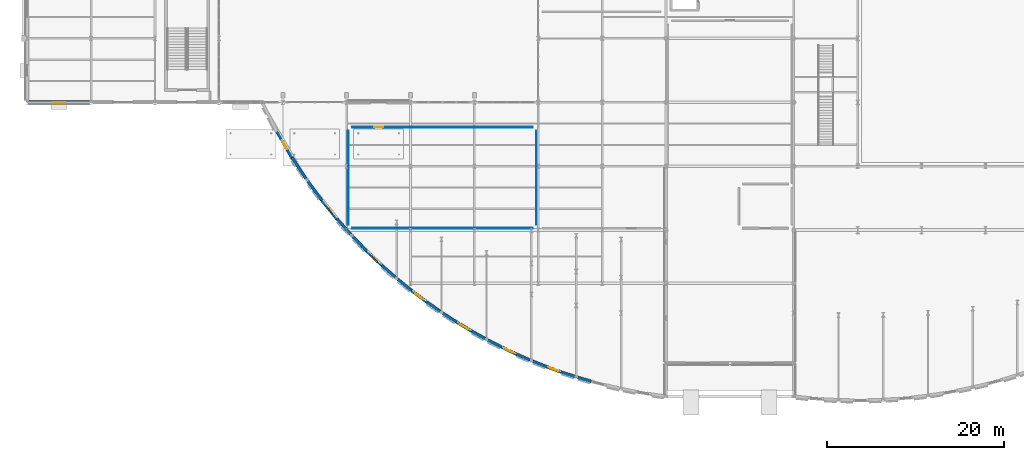
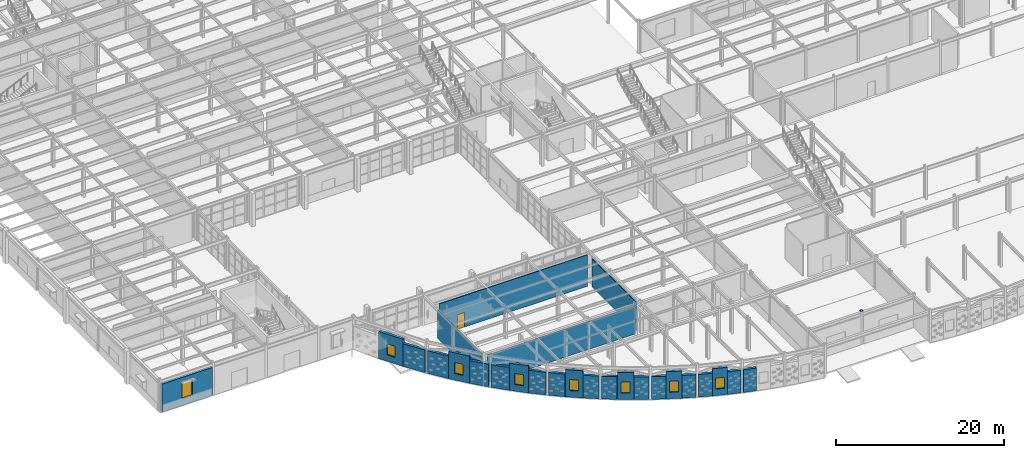
# One storey, part 55 of 83: 26 walls, 8 windows, 1 door, 1 plate, 9 openings.
"""IFC4 building model written with IfcOpenShell, lengths in metres."""

from ifc_helpers import new_model, si_unit, direction, frame, frame_2d, origin, origin_2d, place, context, subcontext, project, spatial, rectangle, extrude, material, layer, layer_set, type_object, element, fill, save


model = new_model("IFC4")

# Units and contexts
model_context = context("Model", 3, precision=1e-05, world=origin(), true_north=direction((0.0, 1.0)))
body_context = subcontext(model_context, "Body", "Model", "MODEL_VIEW")
ifc_project = project(units=[si_unit("LENGTHUNIT", "METRE"), si_unit("AREAUNIT", "SQUARE_METRE"), si_unit("VOLUMEUNIT", "CUBIC_METRE"), si_unit("PLANEANGLEUNIT", "RADIAN"), si_unit("MASSUNIT", "GRAM", prefix="KILO")], contexts=[model_context])

# Site, building, storey
site_placement = place(None, origin())
site = spatial("IfcSite", under=ifc_project, at=site_placement, CompositionType="ELEMENT")
building_placement = place(site_placement, origin())
building = spatial("IfcBuilding", under=site, at=building_placement, Name="Solvadek Multi-Sports Hall", CompositionType="ELEMENT")
storey_placement = place(building_placement, origin())
storey = spatial("IfcBuildingStorey", under=building, at=storey_placement, Name="L00", CompositionType="ELEMENT", Elevation=0.0)

# Plate
ifc_material_1 = material(Name="Steel E350 (350 MPa)", Category="steel")
ifc_layer_1 = layer(ifc_material_1, 0.02001953125, Name="Steel E350 (350 MPa)")
ifc_layer_set_1 = layer_set([ifc_layer_1], Name="Steel E350 (350 MPa)")
plate_type = type_object("IfcPlateType", Name="STR-PLT-CAP340", PredefinedType="USERDEFINED", material=ifc_layer_set_1)
plate_placement = place(storey_placement, frame((79.199951171875, -9.0, 4.800048828125), z_axis=(0.0, 0.0, 1.0), x_axis=(1.0, 0.0, 0.0)))
element("IfcPlate", 1, at=plate_placement, inside=storey, type_object=plate_type, Name="Hollow Column End Cap #322", ObjectType="BASE_PLATE", PredefinedType="USERDEFINED", context=body_context, shape_type="SweptSolid", body=[
    extrude(rectangle(XDim=0.340087890625, YDim=0.340087890625, at=origin_2d()), origin(), (0.0, 0.0, 1.0), 0.02001953125),
])

# Wall, opening, window
ifc_material_2 = material(Name="Fired Deccan terracotta brick masonry", Category="masonry")
ifc_layer_2 = layer(ifc_material_2, 0.35009765625, Name="Fired Deccan terracotta brick masonry")
ifc_layer_set_2 = layer_set([ifc_layer_2], Name="Fired Deccan terracotta brick masonry")
wall_type_1 = type_object("IfcWallType", Name="ENV-WAL-EXT350", PredefinedType="SOLIDWALL", material=ifc_layer_set_2)
wall_1_placement = place(storey_placement, frame((28.1416015625, 17.066650390625, 0.0), z_axis=(0.0, 0.0, 1.0), x_axis=(0.504920301196, -0.863165968653, 0.0)))
wall_1 = element("IfcWall", 2, at=wall_1_placement, inside=storey, type_object=wall_type_1, Name="L00 Crescent Terracotta Brick Base Wall #73", PredefinedType="SOLIDWALL", context=body_context, shape_type="SweptSolid", body=[
    extrude(rectangle(XDim=3.340576171875, YDim=0.35009765625, at=frame_2d((1.67041015625, 0.0))), origin(), (0.0, 0.0, 1.0), 3.949951171875),
])
opening_1_placement = place(wall_1_placement, frame((1.120361328125, 0.0, 0.949951171875)))
opening_1 = element("IfcOpeningElement", 3, at=opening_1_placement, cuts=wall_1, Name="Opening WN-25", PredefinedType="OPENING", context=body_context, shape_type="SweptSolid", body=[
    extrude(rectangle(XDim=1.10009765625, YDim=1.60009765625, at=frame_2d((0.550048828125, 0.800048828125))), frame((0.0, 0.18505859375, 0.0), z_axis=(0.0, -1.0, 0.0), x_axis=(1.0, 0.0, 0.0)), (0.0, 0.0, 1.0), 0.3701171875),
])
ifc_material_3 = material(Name="Tempered laminated low-E glass", Category="glass")
window_type_1 = type_object("IfcWindowType", Name="ENV-WIN-WN-25", PartitioningType="SINGLE_PANEL", PredefinedType="WINDOW", material=ifc_material_3)
window_1_placement = place(opening_1_placement, origin())
window_1 = element("IfcWindow", 4, at=window_1_placement, inside=storey, type_object=window_type_1, Name="L00 Crescent Deep-Set Window #1", OverallHeight=1.60009765625, OverallWidth=1.10009765625, PartitioningType="SINGLE_PANEL", PredefinedType="WINDOW", context=body_context, shape_type="SweptSolid", body=[
    extrude(rectangle(XDim=1.10009765625, YDim=1.60009765625, at=frame_2d((0.550048828125, 0.800048828125))), frame((0.0, 0.030029296875, 0.0), z_axis=(0.0, -1.0, 0.0), x_axis=(1.0, 0.0, 0.0)), (0.0, 0.0, 1.0), 0.06005859375),
])
fill(opening_1, window_1)

# Walls
wall_2_placement = place(storey_placement, frame((29.828369140625, 14.18310546875, 0.0), z_axis=(0.0, 0.0, 1.0), x_axis=(0.551669992049, -0.834062479598, 0.0)))
element("IfcWall", 5, at=wall_2_placement, inside=storey, type_object=wall_type_1, Name="L00 Crescent Terracotta Brick Base Wall #74", PredefinedType="SOLIDWALL", context=body_context, shape_type="SweptSolid", body=[
    extrude(rectangle(XDim=2.904052734375, YDim=0.35009765625, at=frame_2d((1.4521484375, 0.0))), origin(), (0.0, 0.0, 1.0), 3.300048828125),
])
wall_3_placement = place(storey_placement, frame((31.6064453125, 11.50830078125, 0.0), z_axis=(0.0, 0.0, 1.0), x_axis=(0.593211421835, -0.805046712312, 0.0)))
element("IfcWall", 6, at=wall_3_placement, inside=storey, type_object=wall_type_1, Name="L00 Crescent Terracotta Brick Base Wall #75", PredefinedType="SOLIDWALL", context=body_context, shape_type="SweptSolid", body=[
    extrude(rectangle(XDim=2.68994140625, YDim=0.35009765625, at=frame_2d((1.344970703125, 0.0))), origin(), (0.0, 0.0, 1.0), 3.300048828125),
])

# Wall, opening, window
wall_4_placement = place(storey_placement, frame((33.2021484375, 9.3427734375, 0.0), z_axis=(0.0, 0.0, 1.0), x_axis=(0.630654478809, -0.776063739881, 0.0)))
wall_4 = element("IfcWall", 7, at=wall_4_placement, inside=storey, type_object=wall_type_1, Name="L00 Crescent Terracotta Brick Base Wall #76", PredefinedType="SOLIDWALL", context=body_context, shape_type="SweptSolid", body=[
    extrude(rectangle(XDim=2.674560546875, YDim=0.35009765625, at=frame_2d((1.33740234375, 0.0))), origin(), (0.0, 0.0, 1.0), 3.949951171875),
])
opening_2_placement = place(wall_4_placement, frame((0.787353515625, 0.0, 0.949951171875)))
opening_2 = element("IfcOpeningElement", 8, at=opening_2_placement, cuts=wall_4, Name="Opening WN-25", PredefinedType="OPENING", context=body_context, shape_type="SweptSolid", body=[
    extrude(rectangle(XDim=1.10009765625, YDim=1.60009765625, at=frame_2d((0.550048828125, 0.800048828125))), frame((0.0, 0.18505859375, 0.0), z_axis=(0.0, -1.0, 0.0), x_axis=(1.0, 0.0, 0.0)), (0.0, 0.0, 1.0), 0.3701171875),
])
window_2_placement = place(opening_2_placement, origin())
window_2 = element("IfcWindow", 9, at=window_2_placement, inside=storey, type_object=window_type_1, Name="L00 Crescent Deep-Set Window #2", OverallHeight=1.60009765625, OverallWidth=1.10009765625, PartitioningType="SINGLE_PANEL", PredefinedType="WINDOW", context=body_context, shape_type="SweptSolid", body=[
    extrude(rectangle(XDim=1.10009765625, YDim=1.60009765625, at=frame_2d((0.550048828125, 0.800048828125))), frame((0.0, 0.030029296875, 0.0), z_axis=(0.0, -1.0, 0.0), x_axis=(1.0, 0.0, 0.0)), (0.0, 0.0, 1.0), 0.06005859375),
])
fill(opening_2, window_2)

# Walls
wall_5_placement = place(storey_placement, frame((34.888916015625, 7.26708984375, 0.0), z_axis=(0.0, 0.0, 1.0), x_axis=(0.664783351904, -0.747036207309, 0.0)))
element("IfcWall", 10, at=wall_5_placement, inside=storey, type_object=wall_type_1, Name="L00 Crescent Terracotta Brick Base Wall #77", PredefinedType="SOLIDWALL", context=body_context, shape_type="SweptSolid", body=[
    extrude(rectangle(XDim=2.383544921875, YDim=0.35009765625, at=frame_2d((1.19189453125, 0.0))), origin(), (0.0, 0.0, 1.0), 3.300048828125),
])
wall_6_placement = place(storey_placement, frame((36.68310546875, 5.260986328125, 0.0), z_axis=(0.0, 0.0, 1.0), x_axis=(0.695940860346, -0.718099101031, 0.0)))
element("IfcWall", 11, at=wall_6_placement, inside=storey, type_object=wall_type_1, Name="L00 Crescent Terracotta Brick Base Wall #78", PredefinedType="SOLIDWALL", context=body_context, shape_type="SweptSolid", body=[
    extrude(rectangle(XDim=2.269775390625, YDim=0.35009765625, at=frame_2d((1.134765625, 0.0))), origin(), (0.0, 0.0, 1.0), 3.300048828125),
])

# Wall, opening, window
wall_7_placement = place(storey_placement, frame((38.2626953125, 3.631103515625, 0.0), z_axis=(0.0, 0.0, 1.0), x_axis=(0.724766292357, -0.688994790592, 0.0)))
wall_7 = element("IfcWall", 12, at=wall_7_placement, inside=storey, type_object=wall_type_1, Name="L00 Crescent Terracotta Brick Base Wall #79", PredefinedType="SOLIDWALL", context=body_context, shape_type="SweptSolid", body=[
    extrude(rectangle(XDim=2.327392578125, YDim=0.35009765625, at=frame_2d((1.16357421875, 0.0))), origin(), (0.0, 0.0, 1.0), 3.949951171875),
])
opening_3_placement = place(wall_7_placement, frame((0.61376953125, 0.0, 0.949951171875)))
opening_3 = element("IfcOpeningElement", 13, at=opening_3_placement, cuts=wall_7, Name="Opening WN-25", PredefinedType="OPENING", context=body_context, shape_type="SweptSolid", body=[
    extrude(rectangle(XDim=1.10009765625, YDim=1.60009765625, at=frame_2d((0.550048828125, 0.800048828125))), frame((0.0, 0.18505859375, 0.0), z_axis=(0.0, -1.0, 0.0), x_axis=(1.0, 0.0, 0.0)), (0.0, 0.0, 1.0), 0.3701171875),
])
window_3_placement = place(opening_3_placement, origin())
window_3 = element("IfcWindow", 14, at=window_3_placement, inside=storey, type_object=window_type_1, Name="L00 Crescent Deep-Set Window #3", OverallHeight=1.60009765625, OverallWidth=1.10009765625, PartitioningType="SINGLE_PANEL", PredefinedType="WINDOW", context=body_context, shape_type="SweptSolid", body=[
    extrude(rectangle(XDim=1.10009765625, YDim=1.60009765625, at=frame_2d((0.550048828125, 0.800048828125))), frame((0.0, 0.030029296875, 0.0), z_axis=(0.0, -1.0, 0.0), x_axis=(1.0, 0.0, 0.0)), (0.0, 0.0, 1.0), 0.06005859375),
])
fill(opening_3, window_3)

# Walls
wall_8_placement = place(storey_placement, frame((39.949462890625, 2.027587890625, 0.0), z_axis=(0.0, 0.0, 1.0), x_axis=(0.751215757507, -0.660056729133, 0.0)))
element("IfcWall", 15, at=wall_8_placement, inside=storey, type_object=wall_type_1, Name="L00 Crescent Terracotta Brick Base Wall #80", PredefinedType="SOLIDWALL", context=body_context, shape_type="SweptSolid", body=[
    extrude(rectangle(XDim=2.091552734375, YDim=0.35009765625, at=frame_2d((1.0458984375, 0.0))), origin(), (0.0, 0.0, 1.0), 3.300048828125),
])
wall_9_placement = place(storey_placement, frame((41.755859375, 0.447998046875, 0.0), z_axis=(0.0, 0.0, 1.0), x_axis=(0.775773837607, -0.631011056072, 0.0)))
element("IfcWall", 16, at=wall_9_placement, inside=storey, type_object=wall_type_1, Name="L00 Crescent Terracotta Brick Base Wall #81", PredefinedType="SOLIDWALL", context=body_context, shape_type="SweptSolid", body=[
    extrude(rectangle(XDim=2.0205078125, YDim=0.35009765625, at=frame_2d((1.01025390625, 0.0))), origin(), (0.0, 0.0, 1.0), 3.300048828125),
])

# Wall, opening, window
wall_10_placement = place(storey_placement, frame((43.3232421875, -0.826904296875, 0.0), z_axis=(0.0, 0.0, 1.0), x_axis=(0.798485781361, -0.60201366842, 0.0)))
wall_10 = element("IfcWall", 17, at=wall_10_placement, inside=storey, type_object=wall_type_1, Name="L00 Crescent Terracotta Brick Base Wall #82", PredefinedType="SOLIDWALL", context=body_context, shape_type="SweptSolid", body=[
    extrude(rectangle(XDim=2.112548828125, YDim=0.35009765625, at=frame_2d((1.05615234375, 0.0))), origin(), (0.0, 0.0, 1.0), 3.949951171875),
])
opening_4_placement = place(wall_10_placement, frame((0.50634765625, 0.0, 0.949951171875)))
opening_4 = element("IfcOpeningElement", 18, at=opening_4_placement, cuts=wall_10, Name="Opening WN-25", PredefinedType="OPENING", context=body_context, shape_type="SweptSolid", body=[
    extrude(rectangle(XDim=1.10009765625, YDim=1.60009765625, at=frame_2d((0.550048828125, 0.800048828125))), frame((0.0, 0.18505859375, 0.0), z_axis=(0.0, -1.0, 0.0), x_axis=(1.0, 0.0, 0.0)), (0.0, 0.0, 1.0), 0.3701171875),
])
window_4_placement = place(opening_4_placement, origin())
window_4 = element("IfcWindow", 19, at=window_4_placement, inside=storey, type_object=window_type_1, Name="L00 Crescent Deep-Set Window #4", OverallHeight=1.60009765625, OverallWidth=1.10009765625, PartitioningType="SINGLE_PANEL", PredefinedType="WINDOW", context=body_context, shape_type="SweptSolid", body=[
    extrude(rectangle(XDim=1.10009765625, YDim=1.60009765625, at=frame_2d((0.550048828125, 0.800048828125))), frame((0.0, 0.030029296875, 0.0), z_axis=(0.0, -1.0, 0.0), x_axis=(1.0, 0.0, 0.0)), (0.0, 0.0, 1.0), 0.06005859375),
])
fill(opening_4, window_4)

# Walls
wall_11_placement = place(storey_placement, frame((45.010009765625, -2.0986328125, 0.0), z_axis=(0.0, 0.0, 1.0), x_axis=(0.819538950412, -0.57302348011, 0.0)))
element("IfcWall", 20, at=wall_11_placement, inside=storey, type_object=wall_type_1, Name="L00 Crescent Terracotta Brick Base Wall #83", PredefinedType="SOLIDWALL", context=body_context, shape_type="SweptSolid", body=[
    extrude(rectangle(XDim=1.904541015625, YDim=0.35009765625, at=frame_2d((0.9521484375, 0.0))), origin(), (0.0, 0.0, 1.0), 3.300048828125),
])
wall_12_placement = place(storey_placement, frame((46.826171875, -3.362060546875, 0.0), z_axis=(0.0, 0.0, 1.0), x_axis=(0.839044038356, -0.544063508884, 0.0)))
element("IfcWall", 21, at=wall_12_placement, inside=storey, type_object=wall_type_1, Name="L00 Crescent Terracotta Brick Base Wall #84", PredefinedType="SOLIDWALL", context=body_context, shape_type="SweptSolid", body=[
    extrude(rectangle(XDim=1.8564453125, YDim=0.35009765625, at=frame_2d((0.92822265625, 0.0))), origin(), (0.0, 0.0, 1.0), 3.300048828125),
])

# Wall, opening, window
wall_13_placement = place(storey_placement, frame((48.3837890625, -4.3720703125, 0.0), z_axis=(0.0, 0.0, 1.0), x_axis=(0.857164391515, -0.51504291658, 0.0)))
wall_13 = element("IfcWall", 22, at=wall_13_placement, inside=storey, type_object=wall_type_1, Name="L00 Crescent Terracotta Brick Base Wall #85", PredefinedType="SOLIDWALL", context=body_context, shape_type="SweptSolid", body=[
    extrude(rectangle(XDim=1.968017578125, YDim=0.35009765625, at=frame_2d((0.98388671875, 0.0))), origin(), (0.0, 0.0, 1.0), 3.949951171875),
])
opening_5_placement = place(wall_13_placement, frame((0.43408203125, 0.0, 0.949951171875)))
opening_5 = element("IfcOpeningElement", 23, at=opening_5_placement, cuts=wall_13, Name="Opening WN-25", PredefinedType="OPENING", context=body_context, shape_type="SweptSolid", body=[
    extrude(rectangle(XDim=1.10009765625, YDim=1.60009765625, at=frame_2d((0.550048828125, 0.800048828125))), frame((0.0, 0.18505859375, 0.0), z_axis=(0.0, -1.0, 0.0), x_axis=(1.0, 0.0, 0.0)), (0.0, 0.0, 1.0), 0.3701171875),
])
window_5_placement = place(opening_5_placement, origin())
window_5 = element("IfcWindow", 24, at=window_5_placement, inside=storey, type_object=window_type_1, Name="L00 Crescent Deep-Set Window #5", OverallHeight=1.60009765625, OverallWidth=1.10009765625, PartitioningType="SINGLE_PANEL", PredefinedType="WINDOW", context=body_context, shape_type="SweptSolid", body=[
    extrude(rectangle(XDim=1.10009765625, YDim=1.60009765625, at=frame_2d((0.550048828125, 0.800048828125))), frame((0.0, 0.030029296875, 0.0), z_axis=(0.0, -1.0, 0.0), x_axis=(1.0, 0.0, 0.0)), (0.0, 0.0, 1.0), 0.06005859375),
])
fill(opening_5, window_5)

# Walls
wall_14_placement = place(storey_placement, frame((50.07080078125, -5.3857421875, 0.0), z_axis=(0.0, 0.0, 1.0), x_axis=(0.873936739906, -0.486039684226, 0.0)))
element("IfcWall", 25, at=wall_14_placement, inside=storey, type_object=wall_type_1, Name="L00 Crescent Terracotta Brick Base Wall #86", PredefinedType="SOLIDWALL", context=body_context, shape_type="SweptSolid", body=[
    extrude(rectangle(XDim=1.776123046875, YDim=0.35009765625, at=frame_2d((0.88818359375, 0.0))), origin(), (0.0, 0.0, 1.0), 3.300048828125),
])
wall_15_placement = place(storey_placement, frame((51.89453125, -6.394287109375, 0.0), z_axis=(0.0, 0.0, 1.0), x_axis=(0.889413114785, -0.457104267372, 0.0)))
element("IfcWall", 26, at=wall_15_placement, inside=storey, type_object=wall_type_1, Name="L00 Crescent Terracotta Brick Base Wall #87", PredefinedType="SOLIDWALL", context=body_context, shape_type="SweptSolid", body=[
    extrude(rectangle(XDim=1.74267578125, YDim=0.35009765625, at=frame_2d((0.871337890625, 0.0))), origin(), (0.0, 0.0, 1.0), 3.300048828125),
])

# Wall, opening, window
wall_16_placement = place(storey_placement, frame((53.444580078125, -7.19091796875, 0.0), z_axis=(0.0, 0.0, 1.0), x_axis=(0.903721857737, -0.428120081108, 0.0)))
wall_16 = element("IfcWall", 27, at=wall_16_placement, inside=storey, type_object=wall_type_1, Name="L00 Crescent Terracotta Brick Base Wall #88", PredefinedType="SOLIDWALL", context=body_context, shape_type="SweptSolid", body=[
    extrude(rectangle(XDim=1.866455078125, YDim=0.35009765625, at=frame_2d((0.93310546875, 0.0))), origin(), (0.0, 0.0, 1.0), 3.949951171875),
])
opening_6_placement = place(wall_16_placement, frame((0.38330078125, 0.0, 0.949951171875)))
opening_6 = element("IfcOpeningElement", 28, at=opening_6_placement, cuts=wall_16, Name="Opening WN-25", PredefinedType="OPENING", context=body_context, shape_type="SweptSolid", body=[
    extrude(rectangle(XDim=1.10009765625, YDim=1.60009765625, at=frame_2d((0.550048828125, 0.800048828125))), frame((0.0, 0.18505859375, 0.0), z_axis=(0.0, -1.0, 0.0), x_axis=(1.0, 0.0, 0.0)), (0.0, 0.0, 1.0), 0.3701171875),
])
window_6_placement = place(opening_6_placement, origin())
window_6 = element("IfcWindow", 29, at=window_6_placement, inside=storey, type_object=window_type_1, Name="L00 Crescent Deep-Set Window #6", OverallHeight=1.60009765625, OverallWidth=1.10009765625, PartitioningType="SINGLE_PANEL", PredefinedType="WINDOW", context=body_context, shape_type="SweptSolid", body=[
    extrude(rectangle(XDim=1.10009765625, YDim=1.60009765625, at=frame_2d((0.550048828125, 0.800048828125))), frame((0.0, 0.030029296875, 0.0), z_axis=(0.0, -1.0, 0.0), x_axis=(1.0, 0.0, 0.0)), (0.0, 0.0, 1.0), 0.06005859375),
])
fill(opening_6, window_6)

# Walls
wall_17_placement = place(storey_placement, frame((55.13134765625, -7.989990234375, 0.0), z_axis=(0.0, 0.0, 1.0), x_axis=(0.916943366688, -0.399017370909, 0.0)))
element("IfcWall", 30, at=wall_17_placement, inside=storey, type_object=wall_type_1, Name="L00 Crescent Terracotta Brick Base Wall #89", PredefinedType="SOLIDWALL", context=body_context, shape_type="SweptSolid", body=[
    extrude(rectangle(XDim=1.685546875, YDim=0.35009765625, at=frame_2d((0.8427734375, 0.0))), origin(), (0.0, 0.0, 1.0), 3.300048828125),
])
wall_18_placement = place(storey_placement, frame((56.961181640625, -8.78125, 0.0), z_axis=(0.0, 0.0, 1.0), x_axis=(0.929012675174, -0.370047901449, 0.0)))
element("IfcWall", 31, at=wall_18_placement, inside=storey, type_object=wall_type_1, Name="L00 Crescent Terracotta Brick Base Wall #90", PredefinedType="SOLIDWALL", context=body_context, shape_type="SweptSolid", body=[
    extrude(rectangle(XDim=1.661865234375, YDim=0.35009765625, at=frame_2d((0.8310546875, 0.0))), origin(), (0.0, 0.0, 1.0), 3.300048828125),
])

# Wall, opening, window
wall_19_placement = place(storey_placement, frame((58.505126953125, -9.396240234375, 0.0), z_axis=(0.0, 0.0, 1.0), x_axis=(0.939983948766, -0.341218663121, 0.0)))
wall_19 = element("IfcWall", 32, at=wall_19_placement, inside=storey, type_object=wall_type_1, Name="L00 Crescent Terracotta Brick Base Wall #91", PredefinedType="SOLIDWALL", context=body_context, shape_type="SweptSolid", body=[
    extrude(rectangle(XDim=1.79443359375, YDim=0.35009765625, at=frame_2d((0.897216796875, 0.0))), origin(), (0.0, 0.0, 1.0), 3.949951171875),
])
opening_7_placement = place(wall_19_placement, frame((0.34716796875, 0.0, 0.949951171875)))
opening_7 = element("IfcOpeningElement", 33, at=opening_7_placement, cuts=wall_19, Name="Opening WN-25", PredefinedType="OPENING", context=body_context, shape_type="SweptSolid", body=[
    extrude(rectangle(XDim=1.10009765625, YDim=1.60009765625, at=frame_2d((0.550048828125, 0.800048828125))), frame((0.0, 0.18505859375, 0.0), z_axis=(0.0, -1.0, 0.0), x_axis=(1.0, 0.0, 0.0)), (0.0, 0.0, 1.0), 0.3701171875),
])
window_7_placement = place(opening_7_placement, origin())
window_7 = element("IfcWindow", 34, at=window_7_placement, inside=storey, type_object=window_type_1, Name="L00 Crescent Deep-Set Window #7", OverallHeight=1.60009765625, OverallWidth=1.10009765625, PartitioningType="SINGLE_PANEL", PredefinedType="WINDOW", context=body_context, shape_type="SweptSolid", body=[
    extrude(rectangle(XDim=1.10009765625, YDim=1.60009765625, at=frame_2d((0.550048828125, 0.800048828125))), frame((0.0, 0.030029296875, 0.0), z_axis=(0.0, -1.0, 0.0), x_axis=(1.0, 0.0, 0.0)), (0.0, 0.0, 1.0), 0.06005859375),
])
fill(opening_7, window_7)

# Walls
wall_20_placement = place(storey_placement, frame((60.19189453125, -10.008544921875, 0.0), z_axis=(0.0, 0.0, 1.0), x_axis=(0.950044505365, -0.312114462698, 0.0)))
element("IfcWall", 35, at=wall_20_placement, inside=storey, type_object=wall_type_1, Name="L00 Crescent Terracotta Brick Base Wall #92", PredefinedType="SOLIDWALL", context=body_context, shape_type="SweptSolid", body=[
    extrude(rectangle(XDim=1.62158203125, YDim=0.35009765625, at=frame_2d((0.810791015625, 0.0))), origin(), (0.0, 0.0, 1.0), 3.300048828125),
])
wall_21_placement = place(storey_placement, frame((62.026611328125, -10.606201171875, 0.0), z_axis=(0.0, 0.0, 1.0), x_axis=(0.959040253806, -0.283269821159, 0.0)))
element("IfcWall", 36, at=wall_21_placement, inside=storey, type_object=wall_type_1, Name="L00 Crescent Terracotta Brick Base Wall #93", PredefinedType="SOLIDWALL", context=body_context, shape_type="SweptSolid", body=[
    extrude(rectangle(XDim=1.604736328125, YDim=0.35009765625, at=frame_2d((0.80224609375, 0.0))), origin(), (0.0, 0.0, 1.0), 3.300048828125),
])

# Wall, opening, window
wall_22_placement = place(storey_placement, frame((0.154052734375, 20.39990234375, 0.0), z_axis=(0.0, 0.0, 1.0), x_axis=(1.0, 0.0, 0.0)))
wall_22 = element("IfcWall", 37, at=wall_22_placement, inside=storey, type_object=wall_type_1, Name="L00 Exterior Masonry Wall #200", PredefinedType="SOLIDWALL", context=body_context, shape_type="SweptSolid", body=[
    extrude(rectangle(XDim=6.891845703125, YDim=0.35009765625, at=frame_2d((3.44580078125, 0.0))), origin(), (0.0, 0.0, 1.0), 4.06494140625),
])
opening_8_placement = place(wall_22_placement, frame((2.74609375, 0.0, 1.0)))
opening_8 = element("IfcOpeningElement", 38, at=opening_8_placement, cuts=wall_22, Name="Opening WN-16", PredefinedType="OPENING", context=body_context, shape_type="SweptSolid", body=[
    extrude(rectangle(XDim=1.39990234375, YDim=2.39990234375, at=frame_2d((0.699951171875, 1.199951171875))), frame((0.0, 0.18505859375, 0.0), z_axis=(0.0, -1.0, 0.0), x_axis=(1.0, 0.0, 0.0)), (0.0, 0.0, 1.0), 0.3701171875),
])
window_type_2 = type_object("IfcWindowType", Name="ENV-WIN-WN-16", PartitioningType="SINGLE_PANEL", PredefinedType="WINDOW", material=ifc_material_3)
window_8_placement = place(opening_8_placement, origin())
window_8 = element("IfcWindow", 39, at=window_8_placement, inside=storey, type_object=window_type_2, Name="L00 Facade Window WN-16 #79", OverallHeight=2.39990234375, OverallWidth=1.39990234375, PartitioningType="SINGLE_PANEL", PredefinedType="WINDOW", context=body_context, shape_type="SweptSolid", body=[
    extrude(rectangle(XDim=1.39990234375, YDim=2.39990234375, at=frame_2d((0.699951171875, 1.199951171875))), frame((0.0, 0.030029296875, 0.0), z_axis=(0.0, -1.0, 0.0), x_axis=(1.0, 0.0, 0.0)), (0.0, 0.0, 1.0), 0.06005859375),
])
fill(opening_8, window_8)

# Wall
ifc_material_4 = material(Name="Autoclaved aerated concrete blockwork", Category="masonry")
ifc_layer_3 = layer(ifc_material_4, 0.10498046875, Name="Autoclaved aerated concrete blockwork")
ifc_layer_set_3 = layer_set([ifc_layer_3], Name="Autoclaved aerated concrete blockwork")
wall_type_2 = type_object("IfcWallType", Name="INT-WAL-PRT105", PredefinedType="PARTITIONING", material=ifc_layer_set_3)
wall_23_placement = place(storey_placement, frame((36.6201171875, 6.199951171875, 0.0), z_axis=(0.0, 0.0, 1.0), x_axis=(1.0, 0.0, 0.0)))
element("IfcWall", 40, at=wall_23_placement, inside=storey, type_object=wall_type_2, Name="L00 Partition Wall L00-20 S", PredefinedType="PARTITIONING", context=body_context, shape_type="SweptSolid", body=[
    extrude(rectangle(XDim=20.35986328125, YDim=0.10498046875, at=frame_2d((10.179931640625, 0.0))), origin(), (0.0, 0.0, 1.0), 4.06005859375),
])

# Wall, opening, door
wall_24_placement = place(storey_placement, frame((36.6201171875, 17.594970703125, 0.0), z_axis=(0.0, 0.0, 1.0), x_axis=(1.0, 0.0, 0.0)))
wall_24 = element("IfcWall", 41, at=wall_24_placement, inside=storey, type_object=wall_type_2, Name="L00 Partition Wall L00-20 N", PredefinedType="PARTITIONING", context=body_context, shape_type="SweptSolid", body=[
    extrude(rectangle(XDim=20.35986328125, YDim=0.10498046875, at=frame_2d((10.179931640625, 0.0))), origin(), (0.0, 0.0, 1.0), 4.56494140625),
])
opening_9_placement = place(wall_24_placement, frame((2.47998046875, 0.0, 0.0)))
opening_9 = element("IfcOpeningElement", 42, at=opening_9_placement, cuts=wall_24, Name="Opening D-01", PredefinedType="OPENING", context=body_context, shape_type="SweptSolid", body=[
    extrude(rectangle(XDim=1.0, YDim=2.10009765625, at=frame_2d((0.5, 1.050048828125))), frame((0.0, 0.0625, 0.0), z_axis=(0.0, -1.0, 0.0), x_axis=(1.0, 0.0, 0.0)), (0.0, 0.0, 1.0), 0.125),
])
ifc_material_5 = material(Name="Teak hardwood timber", Category="wood")
door_type = type_object("IfcDoorType", Name="INT-DOR-RM100X210", OperationType="NOTDEFINED", PredefinedType="DOOR", material=ifc_material_5)
door_placement = place(opening_9_placement, frame((1.0, 0.0, 0.0), z_axis=(0.0, 0.0, 1.0), x_axis=(-1.0, 0.0, 0.0)))
door = element("IfcDoor", 43, at=door_placement, inside=storey, type_object=door_type, Name="L00 L00-20 Door #2", OperationType="SINGLE_SWING_LEFT", OverallHeight=2.10009765625, OverallWidth=1.0, PredefinedType="DOOR", context=body_context, shape_type="SweptSolid", body=[
    extrude(rectangle(XDim=1.0, YDim=2.10009765625, at=frame_2d((0.5, 1.050048828125))), frame((0.0, 0.02490234375, 0.0), z_axis=(0.0, -1.0, 0.0), x_axis=(1.0, 0.0, 0.0)), (0.0, 0.0, 1.0), 0.050048828125),
])
fill(opening_9, door)

# Walls
for number, where, z_axis, x_axis, name in (
    (44, (36.199951171875, 6.6201171875, 0.0), (0.0, 0.0, 1.0), (0.0, 1.0, 0.0), "L00 Partition Wall L00-20 W"),
    (45, (57.39990234375, 6.6201171875, 0.0), (0.0, 0.0, 1.0), (0.0, 1.0, 0.0), "L00 Partition Wall L00-20 E"),
):
    element("IfcWall", number, at=place(storey_placement, frame(where, z_axis=z_axis, x_axis=x_axis)), inside=storey, type_object=wall_type_2, Name=name, PredefinedType="PARTITIONING", context=body_context, shape_type="SweptSolid", body=[
        extrude(rectangle(XDim=10.554931640625, YDim=0.10498046875, at=frame_2d((5.27734375, 0.0))), origin(), (0.0, 0.0, 1.0), 4.110107421875),
    ])

save(model, "model.ifc")
